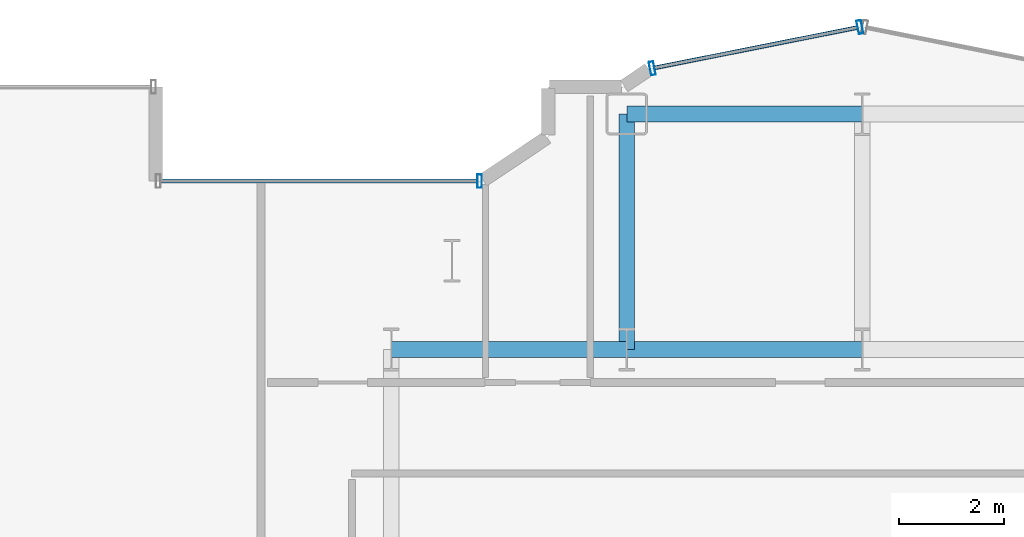
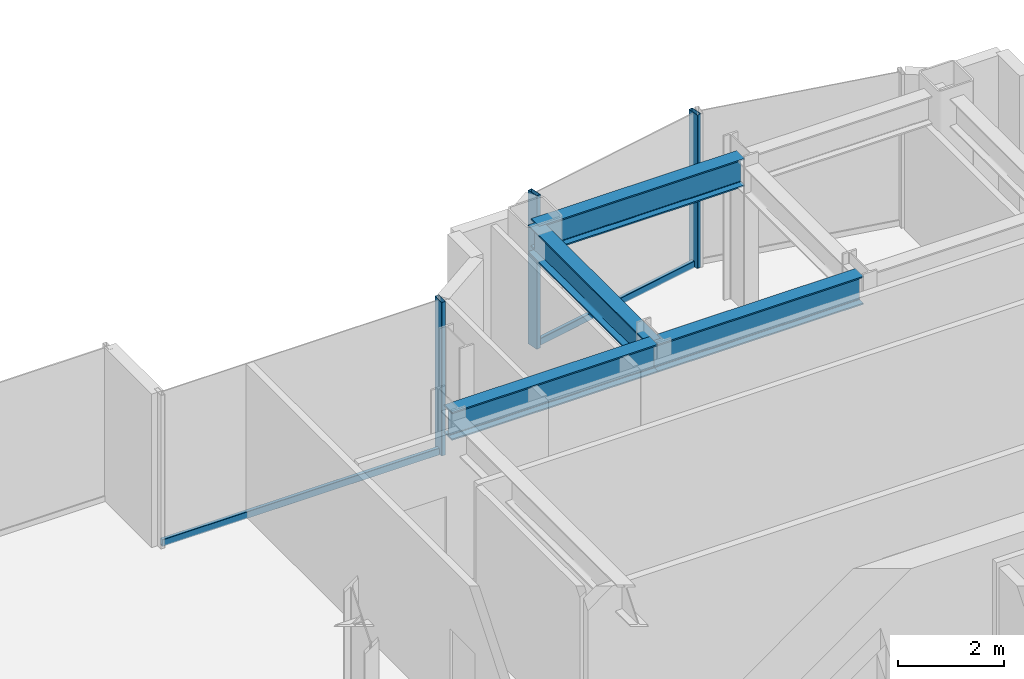
# One storey, part 14 of 27: 5 members, 4 beams, 2 elements without a shape of their own.
"""IFC4 building model written with IfcOpenShell, lengths in metres."""

from ifc_helpers import new_model, si_unit, direction, frame, origin, origin_2d, place, context, subcontext, project, spatial, hollow_rectangle, i_section, extrude, source, transform, mapped, material, layer, layer_set, material_profile, profile_set, type_object, element, aggregate, save


model = new_model("IFC4")

# Units and contexts
model_context = context("Model", 3, precision=1e-05, world=origin(), true_north=direction((0.0, 1.0)))
body_context = subcontext(model_context, "Body", "Model", "MODEL_VIEW")
ifc_project = project(units=[si_unit("LENGTHUNIT", "METRE"), si_unit("AREAUNIT", "SQUARE_METRE"), si_unit("VOLUMEUNIT", "CUBIC_METRE"), si_unit("PLANEANGLEUNIT", "RADIAN"), si_unit("MASSUNIT", "GRAM", prefix="KILO")], contexts=[model_context])

# Site, building, storey
site_placement = place(None, origin())
site = spatial("IfcSite", under=ifc_project, at=site_placement, CompositionType="ELEMENT")
building_placement = place(site_placement, origin())
building = spatial("IfcBuilding", under=site, at=building_placement, Name="Nefas-Gora Pilgrimage Tower", CompositionType="ELEMENT")
storey_placement = place(building_placement, frame((0.0, 0.0, 183.0)))
storey = spatial("IfcBuildingStorey", under=building, at=storey_placement, Name="L45", CompositionType="ELEMENT", Elevation=183.0)

# Beams
ifc_material_1 = material(Name="Steel S355", Category="steel")
ifc_material_profile_1 = material_profile(ifc_material_1, i_section(OverallWidth=0.300048828125, OverallDepth=0.64990234375, WebThickness=0.01611328125, FlangeThickness=0.031005859375, FilletRadius=0.027099609375, at=origin_2d()), Name="HEB 650")
ifc_profile_set_1 = profile_set([ifc_material_profile_1], Name="Steel S355")
beam_type = type_object("IfcBeamType", Name="BM-GIR-HEB650", PredefinedType="BEAM", material=ifc_profile_set_1)
shared_shape_1 = source(origin(), body_context, "Body", "SweptSolid", [
    extrude(i_section(OverallWidth=0.300048828125, OverallDepth=0.64990234375, WebThickness=0.01611328125, FlangeThickness=0.031005859375, FilletRadius=0.027099609375, at=origin_2d()), origin(), (0.0, 0.0, 1.0), 4.5),
])
for number, where, z_axis, x_axis, name in (
    (1, (-11.25, 18.0, 3.22509765625), (1.0, 0.0, 0.0), (0.0, 1.0, 0.0), "L45 G-03 beam"),
    (2, (-6.75, 18.0, 3.22509765625), (0.0, 1.0, 0.0), (-1.0, 0.0, 0.0), "L45 G-03 beam"),
    (3, (-6.75, 18.0, 3.22509765625), (1.0, 0.0, 0.0), (0.0, 1.0, 0.0), "L45 G-03 beam"),
    (4, (-6.75, 22.5, 3.22509765625), (1.0, 0.0, 0.0), (0.0, 1.0, 0.0), "L45 G-03 beam"),
):
    element("IfcBeam", number, at=place(storey_placement, frame(where, z_axis=z_axis, x_axis=x_axis)), inside=storey, type_object=beam_type, Name=name, PredefinedType="BEAM", context=body_context, shape_type="MappedRepresentation", body=[
        mapped(shared_shape_1, transform((0.0, 0.0, 0.0), x_axis=(1.0, 0.0, 0.0), y_axis=(0.0, 1.0, 0.0), z_axis=(0.0, 0.0, 1.0), scale=1.0)),
    ])

# Curtain wall, members
ifc_material_2 = material(Name="Dark ceramic-fritted solar-control aluminium-glass curtain wall", Category="aluminium")
ifc_layer = layer(ifc_material_2, 0.219970703125)
ifc_layer_set = layer_set([ifc_layer], Name="Dark ceramic-fritted solar-control aluminium-glass curtain wall")
curtain_wall_type = type_object("IfcCurtainWallType", Name="CW-SYS-5", PredefinedType="NOTDEFINED", material=ifc_layer_set)
curtain_wall_1_placement = place(storey_placement, origin())
curtain_wall_1 = element("IfcCurtainWall", 5, at=curtain_wall_1_placement, inside=storey, type_object=curtain_wall_type, Name="L45 Unitised Curtain Wall CW5", PredefinedType="NOTDEFINED")
ifc_material_3 = material(Name="Anodised architectural aluminium", Category="aluminium")
ifc_material_profile_2 = material_profile(ifc_material_3, hollow_rectangle(XDim=0.090087890625, YDim=0.260009765625, WallThickness=0.006103515625, InnerFilletRadius=0.006103515625, OuterFilletRadius=0.011962890625, at=origin_2d()), Name="ALU MULLION 90x260")
ifc_profile_set_2 = profile_set([ifc_material_profile_2], Name="Anodised architectural aluminium")
member_type_1 = type_object("IfcMemberType", Name="CWM-MUL-5", PredefinedType="MULLION", material=ifc_profile_set_2)
shared_shape_2 = source(origin(), body_context, "Body", "SweptSolid", [
    extrude(hollow_rectangle(XDim=0.090087890625, YDim=0.260009765625, WallThickness=0.006103515625, InnerFilletRadius=0.006103515625, OuterFilletRadius=0.011962890625, at=origin_2d()), origin(), (0.0, 0.0, 1.0), 3.550048828125),
])
member_1_placement = place(storey_placement, frame((-2.294189453125, 24.16357421875, 0.0), z_axis=(0.0, 0.0, 1.0), x_axis=(-0.980782896852, -0.195102304554, 0.0)))
member_1 = element("IfcMember", 6, at=member_1_placement, type_object=member_type_1, Name="CW5 Mullion 1", PredefinedType="MULLION", context=body_context, shape_type="MappedRepresentation", body=[
    mapped(shared_shape_2, transform((0.0, 0.0, 0.0), x_axis=(1.0, 0.0, 0.0), y_axis=(0.0, 1.0, 0.0), z_axis=(0.0, 0.0, 1.0), scale=1.0)),
])
member_2_placement = place(storey_placement, frame((-6.26318359375, 23.3740234375, 0.0), z_axis=(0.0, 0.0, 1.0), x_axis=(-0.980782896852, -0.195102304554, 0.0)))
member_2 = element("IfcMember", 7, at=member_2_placement, type_object=member_type_1, Name="CW5 Mullion 2", PredefinedType="MULLION", context=body_context, shape_type="MappedRepresentation", body=[
    mapped(shared_shape_2, transform((0.0, 0.0, 0.0), x_axis=(1.0, 0.0, 0.0), y_axis=(0.0, 1.0, 0.0), z_axis=(0.0, 0.0, 1.0), scale=1.0)),
])

curtain_wall_2_placement = place(storey_placement, origin())
curtain_wall_2 = element("IfcCurtainWall", 8, at=curtain_wall_2_placement, inside=storey, type_object=curtain_wall_type, Name="L45 Unitised Curtain Wall CW5", PredefinedType="NOTDEFINED")
member_3_placement = place(storey_placement, frame((-9.56298828125, 21.219970703125, 0.0), z_axis=(0.0, 0.0, 1.0), x_axis=(-1.0, 0.0, 0.0)))
member_3 = element("IfcMember", 9, at=member_3_placement, type_object=member_type_1, Name="CW5 Mullion 1", PredefinedType="MULLION", context=body_context, shape_type="MappedRepresentation", body=[
    mapped(shared_shape_2, transform((0.0, 0.0, 0.0), x_axis=(1.0, 0.0, 0.0), y_axis=(0.0, 1.0, 0.0), z_axis=(0.0, 0.0, 1.0), scale=1.0)),
])
ifc_material_profile_3 = material_profile(ifc_material_3, hollow_rectangle(XDim=0.080078125, YDim=0.159912109375, WallThickness=0.00439453125, InnerFilletRadius=0.00439453125, OuterFilletRadius=0.009033203125, at=origin_2d()), Name="ALU TRANSOM 80x160")
ifc_profile_set_3 = profile_set([ifc_material_profile_3], Name="Anodised architectural aluminium")
member_type_2 = type_object("IfcMemberType", Name="CWM-TRN-5", PredefinedType="USERDEFINED", material=ifc_profile_set_3)
shared_shape_3 = source(origin(), body_context, "Body", "SweptSolid", [
    extrude(hollow_rectangle(XDim=0.080078125, YDim=0.159912109375, WallThickness=0.00439453125, InnerFilletRadius=0.00439453125, OuterFilletRadius=0.009033203125, at=origin_2d()), origin(), (0.0, 0.0, 1.0), 6.052001953125),
])
member_4_placement = place(storey_placement, frame((-9.60791015625, 21.219970703125, 0.050048828125), z_axis=(-1.0, 0.0, 0.0), x_axis=(0.0, -1.0, 0.0)))
member_4 = element("IfcMember", 10, at=member_4_placement, type_object=member_type_2, Name="CW5 Spandrel Transom", ObjectType="TRANSOM", PredefinedType="USERDEFINED", context=body_context, shape_type="MappedRepresentation", body=[
    mapped(shared_shape_3, transform((0.0, 0.0, 0.0), x_axis=(1.0, 0.0, 0.0), y_axis=(0.0, 1.0, 0.0), z_axis=(0.0, 0.0, 1.0), scale=1.0)),
])
aggregate(curtain_wall_2, [member_3, member_4])

# Member
shared_shape_4 = source(origin(), body_context, "Body", "SweptSolid", [
    extrude(hollow_rectangle(XDim=0.080078125, YDim=0.159912109375, WallThickness=0.00439453125, InnerFilletRadius=0.00439453125, OuterFilletRadius=0.009033203125, at=origin_2d()), origin(), (0.0, 0.0, 1.0), 3.95654296875),
])
member_5_placement = place(storey_placement, frame((-2.33837890625, 24.15478515625, 0.050048828125), z_axis=(-0.980781880918, -0.195107411605, 0.0), x_axis=(0.195107411605, -0.980781880918, 0.0)))
member_5 = element("IfcMember", 11, at=member_5_placement, type_object=member_type_2, Name="CW5 Spandrel Transom", ObjectType="TRANSOM", PredefinedType="USERDEFINED", context=body_context, shape_type="MappedRepresentation", body=[
    mapped(shared_shape_4, transform((0.0, 0.0, 0.0), x_axis=(1.0, 0.0, 0.0), y_axis=(0.0, 1.0, 0.0), z_axis=(0.0, 0.0, 1.0), scale=1.0)),
])

aggregate(curtain_wall_1, [member_1, member_2, member_5])

save(model, "model.ifc")
